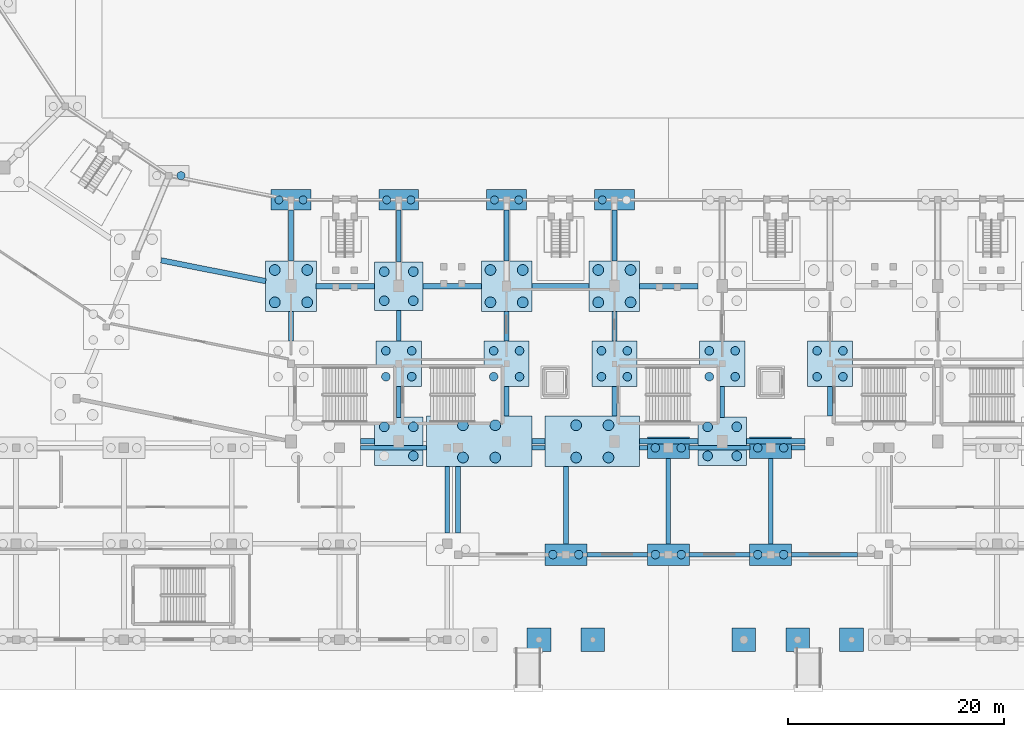
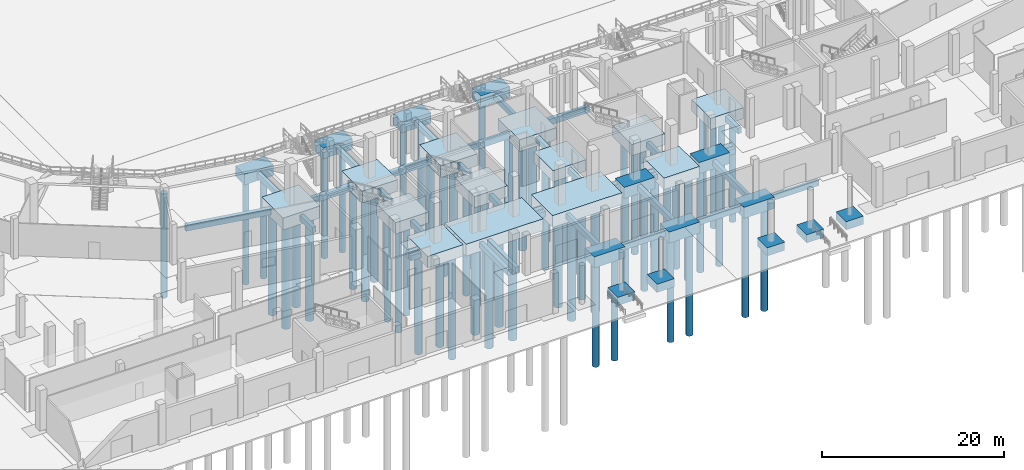
# One storey, part 3 of 68: 69 piles, 62 footings.
"""IFC4 building model written with IfcOpenShell, lengths in metres."""

from ifc_helpers import new_model, si_unit, direction, frame, origin, origin_2d, place, context, subcontext, project, spatial, rectangle, circle, extrude, material, material_profile, profile_set, type_object, element, save


model = new_model("IFC4")

# Units and contexts
model_context = context("Model", 3, precision=1e-05, world=origin(), true_north=direction((0.0, 1.0)))
body_context = subcontext(model_context, "Body", "Model", "MODEL_VIEW")
ifc_project = project(units=[si_unit("LENGTHUNIT", "METRE"), si_unit("AREAUNIT", "SQUARE_METRE"), si_unit("VOLUMEUNIT", "CUBIC_METRE"), si_unit("PLANEANGLEUNIT", "RADIAN"), si_unit("MASSUNIT", "GRAM", prefix="KILO")], contexts=[model_context])

# Site, building, storey
site_placement = place(None, origin())
site = spatial("IfcSite", under=ifc_project, at=site_placement, CompositionType="ELEMENT")
building_placement = place(site_placement, origin())
building = spatial("IfcBuilding", under=site, at=building_placement, Name="Candeia Ridge Stadium", CompositionType="ELEMENT")
storey_placement = place(building_placement, origin())
storey = spatial("IfcBuildingStorey", under=building, at=storey_placement, Name="L00", CompositionType="ELEMENT", Elevation=0.0)

# Piles
ifc_material = material(Name="Concrete C40/50", Category="concrete")
ifc_material_profile_1 = material_profile(ifc_material, circle(Radius=0.5, at=origin_2d()), Name="PILE-D1000", Category="concrete")
ifc_profile_set_1 = profile_set([ifc_material_profile_1], Name="Concrete C40/50")
pile_type_1 = type_object("IfcPileType", Name="Bored Concrete Pile D1000", PredefinedType="BORED", material=ifc_profile_set_1)
for number, where, z_axis, x_axis, name in (
    (1, (69.5, 31.89990234375, -1.39990234375), (0.0, 0.0, -1.0), (1.0, 0.0, 0.0), "Bored concrete foundation pile PILE-0247"),
    (2, (72.5, 31.89990234375, -1.39990234375), (0.0, 0.0, -1.0), (1.0, 0.0, 0.0), "Bored concrete foundation pile PILE-0248"),
    (3, (69.5, 34.89990234375, -1.39990234375), (0.0, 0.0, -1.0), (1.0, 0.0, 0.0), "Bored concrete foundation pile PILE-0249"),
    (4, (72.5, 34.89990234375, -1.39990234375), (0.0, 0.0, -1.0), (1.0, 0.0, 0.0), "Bored concrete foundation pile PILE-0250"),
    (5, (89.5, 31.89990234375, -1.39990234375), (0.0, 0.0, -1.0), (1.0, 0.0, 0.0), "Bored concrete foundation pile PILE-0275"),
    (6, (92.5, 31.89990234375, -1.39990234375), (0.0, 0.0, -1.0), (1.0, 0.0, 0.0), "Bored concrete foundation pile PILE-0276"),
    (7, (89.5, 34.89990234375, -1.39990234375), (0.0, 0.0, -1.0), (1.0, 0.0, 0.0), "Bored concrete foundation pile PILE-0277"),
    (8, (92.5, 34.89990234375, -1.39990234375), (0.0, 0.0, -1.0), (1.0, 0.0, 0.0), "Bored concrete foundation pile PILE-0278"),
    (9, (86.949951171875, 17.5, -1.39990234375), (0.0, 0.0, -1.0), (1.0, 0.0, 0.0), "Bored concrete foundation pile PILE-0283"),
    (10, (89.949951171875, 17.5, -1.39990234375), (0.0, 0.0, -1.0), (1.0, 0.0, 0.0), "Bored concrete foundation pile PILE-0284"),
    (11, (86.949951171875, 20.5, -1.39990234375), (0.0, 0.0, -1.0), (1.0, 0.0, 0.0), "Bored concrete foundation pile PILE-0285"),
    (12, (89.949951171875, 20.5, -1.39990234375), (0.0, 0.0, -1.0), (1.0, 0.0, 0.0), "Bored concrete foundation pile PILE-0286"),
    (13, (99.5, 31.89990234375, -1.39990234375), (0.0, 0.0, -1.0), (1.0, 0.0, 0.0), "Bored concrete foundation pile PILE-0289"),
    (14, (102.5, 31.89990234375, -1.39990234375), (0.0, 0.0, -1.0), (1.0, 0.0, 0.0), "Bored concrete foundation pile PILE-0290"),
    (15, (99.5, 34.89990234375, -1.39990234375), (0.0, 0.0, -1.0), (1.0, 0.0, 0.0), "Bored concrete foundation pile PILE-0291"),
    (16, (102.5, 34.89990234375, -1.39990234375), (0.0, 0.0, -1.0), (1.0, 0.0, 0.0), "Bored concrete foundation pile PILE-0292"),
    (17, (97.449951171875, 17.5, -1.39990234375), (0.0, 0.0, -1.0), (1.0, 0.0, 0.0), "Bored concrete foundation pile PILE-0297"),
    (18, (100.449951171875, 17.5, -1.39990234375), (0.0, 0.0, -1.0), (1.0, 0.0, 0.0), "Bored concrete foundation pile PILE-0298"),
    (19, (97.449951171875, 20.5, -1.39990234375), (0.0, 0.0, -1.0), (1.0, 0.0, 0.0), "Bored concrete foundation pile PILE-0299"),
    (20, (100.449951171875, 20.5, -1.39990234375), (0.0, 0.0, -1.0), (1.0, 0.0, 0.0), "Bored concrete foundation pile PILE-0300"),
):
    element("IfcPile", number, at=place(storey_placement, frame(where, z_axis=z_axis, x_axis=x_axis)), inside=storey, type_object=pile_type_1, Name=name, PredefinedType="BORED", context=body_context, shape_type="SweptSolid", body=[
        extrude(circle(Radius=0.5, at=origin_2d()), origin(), (0.0, 0.0, 1.0), 14.0),
    ])
ifc_material_profile_2 = material_profile(ifc_material, circle(Radius=0.375, at=origin_2d()), Name="PILE-D750", Category="concrete")
ifc_profile_set_2 = profile_set([ifc_material_profile_2], Name="Concrete C40/50")
pile_type_2 = type_object("IfcPileType", Name="Bored Concrete Pile D750", PredefinedType="BORED", material=ifc_profile_set_2)
for number, where, z_axis, x_axis, name in (
    (21, (60.797607421875, 43.6533203125, -1.39990234375), (0.0, 0.0, -1.0), (1.0, 0.0, 0.0), "Bored concrete foundation pile PILE-0232"),
    (22, (69.875, 41.39990234375, -1.39990234375), (0.0, 0.0, -1.0), (1.0, 0.0, 0.0), "Bored concrete foundation pile PILE-0245"),
    (23, (72.125, 41.39990234375, -1.39990234375), (0.0, 0.0, -1.0), (1.0, 0.0, 0.0), "Bored concrete foundation pile PILE-0246"),
    (24, (79.875, 41.39990234375, -1.39990234375), (0.0, 0.0, -1.0), (1.0, 0.0, 0.0), "Bored concrete foundation pile PILE-0259"),
    (25, (82.125, 41.39990234375, -1.39990234375), (0.0, 0.0, -1.0), (1.0, 0.0, 0.0), "Bored concrete foundation pile PILE-0260"),
    (26, (89.875, 41.39990234375, -1.39990234375), (0.0, 0.0, -1.0), (1.0, 0.0, 0.0), "Bored concrete foundation pile PILE-0273"),
    (27, (92.125, 41.39990234375, -1.39990234375), (0.0, 0.0, -1.0), (1.0, 0.0, 0.0), "Bored concrete foundation pile PILE-0274"),
    (28, (99.875, 41.39990234375, -1.39990234375), (0.0, 0.0, -1.0), (1.0, 0.0, 0.0), "Bored concrete foundation pile PILE-0287"),
):
    element("IfcPile", number, at=place(storey_placement, frame(where, z_axis=z_axis, x_axis=x_axis)), inside=storey, type_object=pile_type_2, Name=name, PredefinedType="BORED", context=body_context, shape_type="SweptSolid", body=[
        extrude(circle(Radius=0.375, at=origin_2d()), origin(), (0.0, 0.0, 1.0), 14.0),
    ])
ifc_material_profile_3 = material_profile(ifc_material, circle(Radius=0.39990234375, at=origin_2d()), Name="PILE-D800", Category="concrete")
ifc_profile_set_3 = profile_set([ifc_material_profile_3], Name="Concrete C40/50")
pile_type_3 = type_object("IfcPileType", Name="Bored Concrete Pile D800", PredefinedType="BORED", material=ifc_profile_set_3)
for number, where, z_axis, x_axis, name in (
    (29, (79.800048828125, 25.0, -1.39990234375), (0.0, 0.0, -1.0), (1.0, 0.0, 0.0), "Bored concrete foundation pile PILE-0265"),
    (30, (82.199951171875, 25.0, -1.39990234375), (0.0, 0.0, -1.0), (1.0, 0.0, 0.0), "Bored concrete foundation pile PILE-0266"),
    (31, (79.800048828125, 27.39990234375, -1.39990234375), (0.0, 0.0, -1.0), (1.0, 0.0, 0.0), "Bored concrete foundation pile PILE-0267"),
    (32, (82.199951171875, 27.39990234375, -1.39990234375), (0.0, 0.0, -1.0), (1.0, 0.0, 0.0), "Bored concrete foundation pile PILE-0268"),
    (33, (89.800048828125, 25.0, -1.39990234375), (0.0, 0.0, -1.0), (1.0, 0.0, 0.0), "Bored concrete foundation pile PILE-0279"),
    (34, (92.199951171875, 25.0, -1.39990234375), (0.0, 0.0, -1.0), (1.0, 0.0, 0.0), "Bored concrete foundation pile PILE-0280"),
    (35, (89.800048828125, 27.39990234375, -1.39990234375), (0.0, 0.0, -1.0), (1.0, 0.0, 0.0), "Bored concrete foundation pile PILE-0281"),
    (36, (92.199951171875, 27.39990234375, -1.39990234375), (0.0, 0.0, -1.0), (1.0, 0.0, 0.0), "Bored concrete foundation pile PILE-0282"),
    (37, (99.800048828125, 25.0, -1.39990234375), (0.0, 0.0, -1.0), (1.0, 0.0, 0.0), "Bored concrete foundation pile PILE-0293"),
    (38, (102.199951171875, 25.0, -1.39990234375), (0.0, 0.0, -1.0), (1.0, 0.0, 0.0), "Bored concrete foundation pile PILE-0294"),
    (39, (99.800048828125, 27.39990234375, -1.39990234375), (0.0, 0.0, -1.0), (1.0, 0.0, 0.0), "Bored concrete foundation pile PILE-0295"),
    (40, (102.199951171875, 27.39990234375, -1.39990234375), (0.0, 0.0, -1.0), (1.0, 0.0, 0.0), "Bored concrete foundation pile PILE-0296"),
    (41, (109.800048828125, 25.0, -1.39990234375), (0.0, 0.0, -1.0), (1.0, 0.0, 0.0), "Bored concrete foundation pile PILE-0307"),
    (42, (112.199951171875, 25.0, -1.39990234375), (0.0, 0.0, -1.0), (1.0, 0.0, 0.0), "Bored concrete foundation pile PILE-0308"),
    (43, (109.800048828125, 27.39990234375, -1.39990234375), (0.0, 0.0, -1.0), (1.0, 0.0, 0.0), "Bored concrete foundation pile PILE-0309"),
    (44, (112.199951171875, 27.39990234375, -1.39990234375), (0.0, 0.0, -1.0), (1.0, 0.0, 0.0), "Bored concrete foundation pile PILE-0310"),
    (45, (119.800048828125, 25.0, -1.39990234375), (0.0, 0.0, -1.0), (1.0, 0.0, 0.0), "Bored concrete foundation pile PILE-0321"),
    (46, (122.199951171875, 25.0, -1.39990234375), (0.0, 0.0, -1.0), (1.0, 0.0, 0.0), "Bored concrete foundation pile PILE-0322"),
    (47, (119.800048828125, 27.39990234375, -1.39990234375), (0.0, 0.0, -1.0), (1.0, 0.0, 0.0), "Bored concrete foundation pile PILE-0323"),
    (48, (122.199951171875, 27.39990234375, -1.39990234375), (0.0, 0.0, -1.0), (1.0, 0.0, 0.0), "Bored concrete foundation pile PILE-0324"),
    (49, (95.300048828125, 8.5, -1.39990234375), (0.0, 0.0, -1.0), (1.0, 0.0, 0.0), "Bored concrete foundation pile PILE-0799"),
    (50, (97.699951171875, 8.5, -1.39990234375), (0.0, 0.0, -1.0), (1.0, 0.0, 0.0), "Bored concrete foundation pile PILE-0800"),
    (51, (104.800048828125, 8.5, -1.39990234375), (0.0, 0.0, -1.0), (1.0, 0.0, 0.0), "Bored concrete foundation pile PILE-0801"),
    (52, (107.199951171875, 8.5, -1.39990234375), (0.0, 0.0, -1.0), (1.0, 0.0, 0.0), "Bored concrete foundation pile PILE-0802"),
    (53, (104.800048828125, 18.39990234375, -1.39990234375), (0.0, 0.0, -1.0), (1.0, 0.0, 0.0), "Bored concrete foundation pile PILE-0803"),
    (54, (107.199951171875, 18.39990234375, -1.39990234375), (0.0, 0.0, -1.0), (1.0, 0.0, 0.0), "Bored concrete foundation pile PILE-0804"),
    (55, (114.300048828125, 8.5, -1.39990234375), (0.0, 0.0, -1.0), (1.0, 0.0, 0.0), "Bored concrete foundation pile PILE-0805"),
    (56, (116.699951171875, 8.5, -1.39990234375), (0.0, 0.0, -1.0), (1.0, 0.0, 0.0), "Bored concrete foundation pile PILE-0806"),
    (57, (114.300048828125, 18.39990234375, -1.39990234375), (0.0, 0.0, -1.0), (1.0, 0.0, 0.0), "Bored concrete foundation pile PILE-0807"),
    (58, (116.699951171875, 18.39990234375, -1.39990234375), (0.0, 0.0, -1.0), (1.0, 0.0, 0.0), "Bored concrete foundation pile PILE-0808"),
):
    element("IfcPile", number, at=place(storey_placement, frame(where, z_axis=z_axis, x_axis=x_axis)), inside=storey, type_object=pile_type_3, Name=name, PredefinedType="BORED", context=body_context, shape_type="SweptSolid", body=[
        extrude(circle(Radius=0.39990234375, at=origin_2d()), origin(), (0.0, 0.0, 1.0), 14.0),
    ])
ifc_material_profile_4 = material_profile(ifc_material, circle(Radius=0.449951171875, at=origin_2d()), Name="PILE-D900", Category="concrete")
ifc_profile_set_4 = profile_set([ifc_material_profile_4], Name="Concrete C40/50")
pile_type_4 = type_object("IfcPileType", Name="Bored Concrete Pile D900", PredefinedType="BORED", material=ifc_profile_set_4)
for number, where, z_axis, x_axis, name in (
    (59, (79.64990234375, 32.050048828125, -1.39990234375), (0.0, 0.0, -1.0), (1.0, 0.0, 0.0), "Bored concrete foundation pile PILE-0261"),
    (60, (82.35009765625, 32.050048828125, -1.39990234375), (0.0, 0.0, -1.0), (1.0, 0.0, 0.0), "Bored concrete foundation pile PILE-0262"),
    (61, (79.64990234375, 34.75, -1.39990234375), (0.0, 0.0, -1.0), (1.0, 0.0, 0.0), "Bored concrete foundation pile PILE-0263"),
    (62, (82.35009765625, 34.75, -1.39990234375), (0.0, 0.0, -1.0), (1.0, 0.0, 0.0), "Bored concrete foundation pile PILE-0264"),
    (63, (82.35009765625, 17.64990234375, -1.39990234375), (0.0, 0.0, -1.0), (1.0, 0.0, 0.0), "Bored concrete foundation pile PILE-0270"),
    (64, (79.64990234375, 20.35009765625, -1.39990234375), (0.0, 0.0, -1.0), (1.0, 0.0, 0.0), "Bored concrete foundation pile PILE-0271"),
    (65, (82.35009765625, 20.35009765625, -1.39990234375), (0.0, 0.0, -1.0), (1.0, 0.0, 0.0), "Bored concrete foundation pile PILE-0272"),
    (66, (109.64990234375, 17.64990234375, -1.39990234375), (0.0, 0.0, -1.0), (1.0, 0.0, 0.0), "Bored concrete foundation pile PILE-0311"),
    (67, (112.35009765625, 17.64990234375, -1.39990234375), (0.0, 0.0, -1.0), (1.0, 0.0, 0.0), "Bored concrete foundation pile PILE-0312"),
    (68, (109.64990234375, 20.35009765625, -1.39990234375), (0.0, 0.0, -1.0), (1.0, 0.0, 0.0), "Bored concrete foundation pile PILE-0313"),
    (69, (112.35009765625, 20.35009765625, -1.39990234375), (0.0, 0.0, -1.0), (1.0, 0.0, 0.0), "Bored concrete foundation pile PILE-0314"),
):
    element("IfcPile", number, at=place(storey_placement, frame(where, z_axis=z_axis, x_axis=x_axis)), inside=storey, type_object=pile_type_4, Name=name, PredefinedType="BORED", context=body_context, shape_type="SweptSolid", body=[
        extrude(circle(Radius=0.449951171875, at=origin_2d()), origin(), (0.0, 0.0, 1.0), 14.0),
    ])

# Footings
footing_type_1 = type_object("IfcFootingType", Name="Ground Tie Beam 400x700", PredefinedType="FOOTING_BEAM", material=ifc_material)
footing_1_placement = place(storey_placement, frame((80.5, 18.39990234375, -1.0498046875), z_axis=(0.0, 0.0, 1.0), x_axis=(1.0, 0.0, 0.0)))
element("IfcFooting", 70, at=footing_1_placement, inside=storey, type_object=footing_type_1, Name="Ground tie beam GTB-0318", PredefinedType="FOOTING_BEAM", context=body_context, shape_type="SweptSolid", body=[
    extrude(rectangle(XDim=6.1201171875, YDim=0.39990234375, at=origin_2d()), origin(), (0.0, 0.0, 1.0), 0.699951171875),
])
footing_2_placement = place(storey_placement, frame((93.949951171875, 18.39990234375, -1.0498046875), z_axis=(0.0, 0.0, 1.0), x_axis=(1.0, 0.0, 0.0)))
element("IfcFooting", 71, at=footing_2_placement, inside=storey, type_object=footing_type_1, Name="Ground tie beam GTB-0355", PredefinedType="FOOTING_BEAM", context=body_context, shape_type="SweptSolid", body=[
    extrude(rectangle(XDim=1.219970703125, YDim=0.39990234375, at=origin_2d()), origin(), (0.0, 0.0, 1.0), 0.699951171875),
])
footing_3_placement = place(storey_placement, frame((101.25, 8.5, -1.0498046875), z_axis=(0.0, 0.0, 1.0), x_axis=(1.0, 0.0, 0.0)))
element("IfcFooting", 72, at=footing_3_placement, inside=storey, type_object=footing_type_1, Name="Ground tie beam GTB-0357", PredefinedType="FOOTING_BEAM", context=body_context, shape_type="SweptSolid", body=[
    extrude(rectangle(XDim=5.6201171875, YDim=0.39990234375, at=origin_2d()), origin(), (0.0, 0.0, 1.0), 0.699951171875),
])
footing_4_placement = place(storey_placement, frame((103.699951171875, 18.39990234375, -1.0498046875), z_axis=(0.0, 0.0, 1.0), x_axis=(1.0, 0.0, 0.0)))
element("IfcFooting", 73, at=footing_4_placement, inside=storey, type_object=footing_type_1, Name="Ground tie beam GTB-0358", PredefinedType="FOOTING_BEAM", context=body_context, shape_type="SweptSolid", body=[
    extrude(rectangle(XDim=0.719970703125, YDim=0.39990234375, at=origin_2d()), origin(), (0.0, 0.0, 1.0), 0.699951171875),
])
for number, where, z_axis, x_axis, name in (
    (74, (110.75, 8.5, -1.0498046875), (0.0, 0.0, 1.0), (1.0, 0.0, 0.0), "Ground tie beam GTB-0360"),
    (75, (110.75, 18.39990234375, -1.0498046875), (0.0, 0.0, 1.0), (1.0, 0.0, 0.0), "Ground tie beam GTB-0361"),
):
    element("IfcFooting", number, at=place(storey_placement, frame(where, z_axis=z_axis, x_axis=x_axis)), inside=storey, type_object=footing_type_1, Name=name, PredefinedType="FOOTING_BEAM", context=body_context, shape_type="SweptSolid", body=[
        extrude(rectangle(XDim=5.6201171875, YDim=0.39990234375, at=origin_2d()), origin(), (0.0, 0.0, 1.0), 0.699951171875),
    ])
footing_5_placement = place(storey_placement, frame((120.5, 8.5, -1.0498046875), z_axis=(0.0, 0.0, 1.0), x_axis=(1.0, 0.0, 0.0)))
element("IfcFooting", 76, at=footing_5_placement, inside=storey, type_object=footing_type_1, Name="Ground tie beam GTB-0363", PredefinedType="FOOTING_BEAM", context=body_context, shape_type="SweptSolid", body=[
    extrude(rectangle(XDim=6.1201171875, YDim=0.39990234375, at=origin_2d()), origin(), (0.0, 0.0, 1.0), 0.699951171875),
])
footing_6_placement = place(storey_placement, frame((118.050048828125, 18.39990234375, -1.0498046875), z_axis=(0.0, 0.0, 1.0), x_axis=(1.0, 0.0, 0.0)))
element("IfcFooting", 77, at=footing_6_placement, inside=storey, type_object=footing_type_1, Name="Ground tie beam GTB-0364", PredefinedType="FOOTING_BEAM", context=body_context, shape_type="SweptSolid", body=[
    extrude(rectangle(XDim=1.219970703125, YDim=0.39990234375, at=origin_2d()), origin(), (0.0, 0.0, 1.0), 0.699951171875),
])
footing_type_2 = type_object("IfcFootingType", Name="Ground Tie Beam 450x750", PredefinedType="FOOTING_BEAM", material=ifc_material)
footing_7_placement = place(storey_placement, frame((71.0, 38.10009765625, -1.074951171875), z_axis=(0.0, 0.0, 1.0), x_axis=(0.0, -1.0, 0.0)))
element("IfcFooting", 78, at=footing_7_placement, inside=storey, type_object=footing_type_2, Name="Ground tie beam GTB-0082", PredefinedType="FOOTING_BEAM", context=body_context, shape_type="SweptSolid", body=[
    extrude(rectangle(XDim=4.719970703125, YDim=0.449951171875, at=origin_2d()), origin(), (0.0, 0.0, 1.0), 0.75),
])
footing_8_placement = place(storey_placement, frame((71.0, 29.675048828125, -1.074951171875), z_axis=(0.0, 0.0, 1.0), x_axis=(0.0, -1.0, 0.0)))
element("IfcFooting", 79, at=footing_8_placement, inside=storey, type_object=footing_type_2, Name="Ground tie beam GTB-0083", PredefinedType="FOOTING_BEAM", context=body_context, shape_type="SweptSolid", body=[
    extrude(rectangle(XDim=2.77001953125, YDim=0.449951171875, at=origin_2d()), origin(), (0.0, 0.0, 1.0), 0.75),
])
footing_9_placement = place(storey_placement, frame((81.0, 38.050048828125, -1.074951171875), z_axis=(0.0, 0.0, 1.0), x_axis=(0.0, -1.0, 0.0)))
element("IfcFooting", 80, at=footing_9_placement, inside=storey, type_object=footing_type_2, Name="Ground tie beam GTB-0086", PredefinedType="FOOTING_BEAM", context=body_context, shape_type="SweptSolid", body=[
    extrude(rectangle(XDim=4.820068359375, YDim=0.449951171875, at=origin_2d()), origin(), (0.0, 0.0, 1.0), 0.75),
])
for number, where, z_axis, x_axis, name in (
    (81, (81.0, 29.72509765625, -1.074951171875), (0.0, 0.0, 1.0), (0.0, -1.0, 0.0), "Ground tie beam GTB-0087"),
    (82, (81.0, 22.675048828125, -1.074951171875), (0.0, 0.0, 1.0), (0.0, -1.0, 0.0), "Ground tie beam GTB-0088"),
):
    element("IfcFooting", number, at=place(storey_placement, frame(where, z_axis=z_axis, x_axis=x_axis)), inside=storey, type_object=footing_type_2, Name=name, PredefinedType="FOOTING_BEAM", context=body_context, shape_type="SweptSolid", body=[
        extrude(rectangle(XDim=2.8701171875, YDim=0.449951171875, at=origin_2d()), origin(), (0.0, 0.0, 1.0), 0.75),
    ])
footing_10_placement = place(storey_placement, frame((91.0, 38.10009765625, -1.074951171875), z_axis=(0.0, 0.0, 1.0), x_axis=(0.0, -1.0, 0.0)))
element("IfcFooting", 83, at=footing_10_placement, inside=storey, type_object=footing_type_2, Name="Ground tie beam GTB-0091", PredefinedType="FOOTING_BEAM", context=body_context, shape_type="SweptSolid", body=[
    extrude(rectangle(XDim=4.719970703125, YDim=0.449951171875, at=origin_2d()), origin(), (0.0, 0.0, 1.0), 0.75),
])
for number, where, z_axis, x_axis, name in (
    (84, (91.0, 29.675048828125, -1.074951171875), (0.0, 0.0, 1.0), (0.0, -1.0, 0.0), "Ground tie beam GTB-0092"),
    (85, (91.0, 22.72509765625, -1.074951171875), (0.0, 0.0, 1.0), (0.0, -1.0, 0.0), "Ground tie beam GTB-0093"),
):
    element("IfcFooting", number, at=place(storey_placement, frame(where, z_axis=z_axis, x_axis=x_axis)), inside=storey, type_object=footing_type_2, Name=name, PredefinedType="FOOTING_BEAM", context=body_context, shape_type="SweptSolid", body=[
        extrude(rectangle(XDim=2.77001953125, YDim=0.449951171875, at=origin_2d()), origin(), (0.0, 0.0, 1.0), 0.75),
    ])
footing_11_placement = place(storey_placement, frame((101.0, 38.10009765625, -1.074951171875), z_axis=(0.0, 0.0, 1.0), x_axis=(0.0, -1.0, 0.0)))
element("IfcFooting", 86, at=footing_11_placement, inside=storey, type_object=footing_type_2, Name="Ground tie beam GTB-0096", PredefinedType="FOOTING_BEAM", context=body_context, shape_type="SweptSolid", body=[
    extrude(rectangle(XDim=4.719970703125, YDim=0.449951171875, at=origin_2d()), origin(), (0.0, 0.0, 1.0), 0.75),
])
for number, where, z_axis, x_axis, name in (
    (87, (101.0, 29.675048828125, -1.074951171875), (0.0, 0.0, 1.0), (0.0, -1.0, 0.0), "Ground tie beam GTB-0097"),
    (88, (101.0, 22.72509765625, -1.074951171875), (0.0, 0.0, 1.0), (0.0, -1.0, 0.0), "Ground tie beam GTB-0098"),
):
    element("IfcFooting", number, at=place(storey_placement, frame(where, z_axis=z_axis, x_axis=x_axis)), inside=storey, type_object=footing_type_2, Name=name, PredefinedType="FOOTING_BEAM", context=body_context, shape_type="SweptSolid", body=[
        extrude(rectangle(XDim=2.77001953125, YDim=0.449951171875, at=origin_2d()), origin(), (0.0, 0.0, 1.0), 0.75),
    ])
footing_12_placement = place(storey_placement, frame((111.0, 22.675048828125, -1.074951171875), z_axis=(0.0, 0.0, 1.0), x_axis=(0.0, -1.0, 0.0)))
element("IfcFooting", 89, at=footing_12_placement, inside=storey, type_object=footing_type_2, Name="Ground tie beam GTB-0103", PredefinedType="FOOTING_BEAM", context=body_context, shape_type="SweptSolid", body=[
    extrude(rectangle(XDim=2.8701171875, YDim=0.449951171875, at=origin_2d()), origin(), (0.0, 0.0, 1.0), 0.75),
])
footing_13_placement = place(storey_placement, frame((121.0, 22.72509765625, -1.074951171875), z_axis=(0.0, 0.0, 1.0), x_axis=(0.0, -1.0, 0.0)))
element("IfcFooting", 90, at=footing_13_placement, inside=storey, type_object=footing_type_2, Name="Ground tie beam GTB-0107", PredefinedType="FOOTING_BEAM", context=body_context, shape_type="SweptSolid", body=[
    extrude(rectangle(XDim=2.77001953125, YDim=0.449951171875, at=origin_2d()), origin(), (0.0, 0.0, 1.0), 0.75),
])
for number, where, z_axis, x_axis, name in (
    (91, (85.5, 13.574951171875, -1.074951171875), (0.0, 0.0, 1.0), (0.0, 1.0, 0.0), "Ground tie beam GTB-0320"),
    (92, (86.5, 13.574951171875, -1.074951171875), (0.0, 0.0, 1.0), (0.0, 1.0, 0.0), "Ground tie beam GTB-0353"),
):
    element("IfcFooting", number, at=place(storey_placement, frame(where, z_axis=z_axis, x_axis=x_axis)), inside=storey, type_object=footing_type_2, Name=name, PredefinedType="FOOTING_BEAM", context=body_context, shape_type="SweptSolid", body=[
        extrude(rectangle(XDim=6.169921875, YDim=0.449951171875, at=origin_2d()), origin(), (0.0, 0.0, 1.0), 0.75),
    ])
footing_14_placement = place(storey_placement, frame((96.5, 13.074951171875, -1.074951171875), z_axis=(0.0, 0.0, 1.0), x_axis=(0.0, 1.0, 0.0)))
element("IfcFooting", 93, at=footing_14_placement, inside=storey, type_object=footing_type_2, Name="Ground tie beam GTB-0356", PredefinedType="FOOTING_BEAM", context=body_context, shape_type="SweptSolid", body=[
    extrude(rectangle(XDim=7.169921875, YDim=0.449951171875, at=origin_2d()), origin(), (0.0, 0.0, 1.0), 0.75),
])
for number, where, z_axis, x_axis, name in (
    (94, (106.0, 13.449951171875, -1.074951171875), (0.0, 0.0, 1.0), (0.0, 1.0, 0.0), "Ground tie beam GTB-0359"),
    (95, (115.5, 13.449951171875, -1.074951171875), (0.0, 0.0, 1.0), (0.0, 1.0, 0.0), "Ground tie beam GTB-0362"),
):
    element("IfcFooting", number, at=place(storey_placement, frame(where, z_axis=z_axis, x_axis=x_axis)), inside=storey, type_object=footing_type_2, Name=name, PredefinedType="FOOTING_BEAM", context=body_context, shape_type="SweptSolid", body=[
        extrude(rectangle(XDim=7.919921875, YDim=0.449951171875, at=origin_2d()), origin(), (0.0, 0.0, 1.0), 0.75),
    ])
footing_type_3 = type_object("IfcFootingType", Name="Ground Tie Beam 500x800", PredefinedType="FOOTING_BEAM", material=ifc_material)
footing_15_placement = place(storey_placement, frame((63.8056640625, 34.8310546875, -1.10009765625), z_axis=(0.0, 0.0, 1.0), x_axis=(0.980786067488, -0.195086365033, 0.0)))
element("IfcFooting", 96, at=footing_15_placement, inside=storey, type_object=footing_type_3, Name="Ground tie beam GTB-0076", PredefinedType="FOOTING_BEAM", context=body_context, shape_type="SweptSolid", body=[
    extrude(rectangle(XDim=9.898681640625, YDim=0.5, at=origin_2d()), origin(), (0.0, 0.0, 1.0), 0.800048828125),
])
footing_16_placement = place(storey_placement, frame((76.050048828125, 33.39990234375, -1.10009765625), z_axis=(0.0, 0.0, 1.0), x_axis=(1.0, 0.0, 0.0)))
element("IfcFooting", 97, at=footing_16_placement, inside=storey, type_object=footing_type_3, Name="Ground tie beam GTB-0080", PredefinedType="FOOTING_BEAM", context=body_context, shape_type="SweptSolid", body=[
    extrude(rectangle(XDim=5.419921875, YDim=0.5, at=origin_2d()), origin(), (0.0, 0.0, 1.0), 0.800048828125),
])
footing_17_placement = place(storey_placement, frame((78.10009765625, 19.0, -1.10009765625), z_axis=(0.0, 0.0, 1.0), x_axis=(1.0, 0.0, 0.0)))
element("IfcFooting", 98, at=footing_17_placement, inside=storey, type_object=footing_type_3, Name="Ground tie beam GTB-0081", PredefinedType="FOOTING_BEAM", context=body_context, shape_type="SweptSolid", body=[
    extrude(rectangle(XDim=1.320068359375, YDim=0.5, at=origin_2d()), origin(), (0.0, 0.0, 1.0), 0.800048828125),
])
footing_18_placement = place(storey_placement, frame((85.949951171875, 33.39990234375, -1.10009765625), z_axis=(0.0, 0.0, 1.0), x_axis=(1.0, 0.0, 0.0)))
element("IfcFooting", 99, at=footing_18_placement, inside=storey, type_object=footing_type_3, Name="Ground tie beam GTB-0085", PredefinedType="FOOTING_BEAM", context=body_context, shape_type="SweptSolid", body=[
    extrude(rectangle(XDim=5.419921875, YDim=0.5, at=origin_2d()), origin(), (0.0, 0.0, 1.0), 0.800048828125),
])
footing_19_placement = place(storey_placement, frame((96.0, 33.39990234375, -1.10009765625), z_axis=(0.0, 0.0, 1.0), x_axis=(1.0, 0.0, 0.0)))
element("IfcFooting", 100, at=footing_19_placement, inside=storey, type_object=footing_type_3, Name="Ground tie beam GTB-0089", PredefinedType="FOOTING_BEAM", context=body_context, shape_type="SweptSolid", body=[
    extrude(rectangle(XDim=5.320068359375, YDim=0.5, at=origin_2d()), origin(), (0.0, 0.0, 1.0), 0.800048828125),
])
footing_20_placement = place(storey_placement, frame((93.949951171875, 19.0, -1.10009765625), z_axis=(0.0, 0.0, 1.0), x_axis=(1.0, 0.0, 0.0)))
element("IfcFooting", 101, at=footing_20_placement, inside=storey, type_object=footing_type_3, Name="Ground tie beam GTB-0090", PredefinedType="FOOTING_BEAM", context=body_context, shape_type="SweptSolid", body=[
    extrude(rectangle(XDim=1.219970703125, YDim=0.5, at=origin_2d()), origin(), (0.0, 0.0, 1.0), 0.800048828125),
])
for number, where, z_axis, x_axis, name in (
    (102, (106.050048828125, 33.39990234375, -1.10009765625), (0.0, 0.0, 1.0), (1.0, 0.0, 0.0), "Ground tie beam GTB-0094"),
    (103, (106.050048828125, 19.0, -1.10009765625), (0.0, 0.0, 1.0), (1.0, 0.0, 0.0), "Ground tie beam GTB-0095"),
    (104, (115.949951171875, 19.0, -1.10009765625), (0.0, 0.0, 1.0), (1.0, 0.0, 0.0), "Ground tie beam GTB-0100"),
):
    element("IfcFooting", number, at=place(storey_placement, frame(where, z_axis=z_axis, x_axis=x_axis)), inside=storey, type_object=footing_type_3, Name=name, PredefinedType="FOOTING_BEAM", context=body_context, shape_type="SweptSolid", body=[
        extrude(rectangle(XDim=5.419921875, YDim=0.5, at=origin_2d()), origin(), (0.0, 0.0, 1.0), 0.800048828125),
    ])
footing_type_4 = type_object("IfcFootingType", Name="Pad Footing 2200x2200x1100", PredefinedType="PAD_FOOTING", material=ifc_material)
for number, where, z_axis, x_axis, name in (
    (105, (94.0, 0.60009765625, -1.10009765625), (0.0, 0.0, 1.0), (1.0, 0.0, 0.0), "Colonnade pad footing RP-02"),
    (106, (99.0, 0.60009765625, -1.10009765625), (0.0, 0.0, 1.0), (1.0, 0.0, 0.0), "Colonnade pad footing RP-03"),
    (107, (113.0, 0.60009765625, -1.10009765625), (0.0, 0.0, 1.0), (1.0, 0.0, 0.0), "Colonnade pad footing RP-04"),
    (108, (118.0, 0.60009765625, -1.10009765625), (0.0, 0.0, 1.0), (1.0, 0.0, 0.0), "Colonnade pad footing RP-05"),
    (109, (123.0, 0.60009765625, -1.10009765625), (0.0, 0.0, 1.0), (1.0, 0.0, 0.0), "Colonnade pad footing RP-06"),
):
    element("IfcFooting", number, at=place(storey_placement, frame(where, z_axis=z_axis, x_axis=x_axis)), inside=storey, type_object=footing_type_4, Name=name, PredefinedType="PAD_FOOTING", context=body_context, shape_type="SweptSolid", body=[
        extrude(rectangle(XDim=2.199951171875, YDim=2.199951171875, at=origin_2d()), origin(), (0.0, 0.0, 1.0), 1.10009765625),
    ])
footing_type_5 = type_object("IfcFootingType", Name="Pile Cap 3700x1900x1450", PredefinedType="PILE_CAP", material=ifc_material)
for number, where, z_axis, x_axis, name in (
    (110, (71.0, 41.39990234375, -1.4501953125), (0.0, 0.0, 1.0), (1.0, 0.0, 0.0), "Reinforced concrete pile cap CAP-071"),
    (111, (81.0, 41.39990234375, -1.4501953125), (0.0, 0.0, 1.0), (1.0, 0.0, 0.0), "Reinforced concrete pile cap CAP-075"),
    (112, (91.0, 41.39990234375, -1.4501953125), (0.0, 0.0, 1.0), (1.0, 0.0, 0.0), "Reinforced concrete pile cap CAP-079"),
    (113, (101.0, 41.39990234375, -1.4501953125), (0.0, 0.0, 1.0), (1.0, 0.0, 0.0), "Reinforced concrete pile cap CAP-083"),
):
    element("IfcFooting", number, at=place(storey_placement, frame(where, z_axis=z_axis, x_axis=x_axis)), inside=storey, type_object=footing_type_5, Name=name, PredefinedType="PILE_CAP", context=body_context, shape_type="SweptSolid", body=[
        extrude(rectangle(XDim=3.699951171875, YDim=1.89990234375, at=origin_2d()), origin(), (0.0, 0.0, 1.0), 1.449951171875),
    ])
footing_type_6 = type_object("IfcFootingType", Name="Pile Cap 3900x2000x1500", PredefinedType="PILE_CAP", material=ifc_material)
for number, where, z_axis, x_axis, name in (
    (114, (96.5, 8.5, -1.5), (0.0, 0.0, 1.0), (1.0, 0.0, 0.0), "Reinforced concrete pile cap CAP-255"),
    (115, (106.0, 8.5, -1.5), (0.0, 0.0, 1.0), (1.0, 0.0, 0.0), "Reinforced concrete pile cap CAP-256"),
    (116, (106.0, 18.39990234375, -1.5), (0.0, 0.0, 1.0), (1.0, 0.0, 0.0), "Reinforced concrete pile cap CAP-257"),
    (117, (115.5, 8.5, -1.5), (0.0, 0.0, 1.0), (1.0, 0.0, 0.0), "Reinforced concrete pile cap CAP-258"),
    (118, (115.5, 18.39990234375, -1.5), (0.0, 0.0, 1.0), (1.0, 0.0, 0.0), "Reinforced concrete pile cap CAP-259"),
):
    element("IfcFooting", number, at=place(storey_placement, frame(where, z_axis=z_axis, x_axis=x_axis)), inside=storey, type_object=footing_type_6, Name=name, PredefinedType="PILE_CAP", context=body_context, shape_type="SweptSolid", body=[
        extrude(rectangle(XDim=3.89990234375, YDim=2.0, at=origin_2d()), origin(), (0.0, 0.0, 1.0), 1.5),
    ])
footing_type_7 = type_object("IfcFootingType", Name="Pile Cap 4200x4200x1500", PredefinedType="PILE_CAP", material=ifc_material)
for number, where, z_axis, x_axis, name in (
    (119, (81.0, 26.199951171875, -1.5), (0.0, 0.0, 1.0), (1.0, 0.0, 0.0), "Reinforced concrete pile cap CAP-077"),
    (120, (91.0, 26.199951171875, -1.5), (0.0, 0.0, 1.0), (1.0, 0.0, 0.0), "Reinforced concrete pile cap CAP-081"),
    (121, (101.0, 26.199951171875, -1.5), (0.0, 0.0, 1.0), (1.0, 0.0, 0.0), "Reinforced concrete pile cap CAP-085"),
    (122, (111.0, 26.199951171875, -1.5), (0.0, 0.0, 1.0), (1.0, 0.0, 0.0), "Reinforced concrete pile cap CAP-089"),
    (123, (121.0, 26.199951171875, -1.5), (0.0, 0.0, 1.0), (1.0, 0.0, 0.0), "Reinforced concrete pile cap CAP-093"),
):
    element("IfcFooting", number, at=place(storey_placement, frame(where, z_axis=z_axis, x_axis=x_axis)), inside=storey, type_object=footing_type_7, Name=name, PredefinedType="PILE_CAP", context=body_context, shape_type="SweptSolid", body=[
        extrude(rectangle(XDim=4.199951171875, YDim=4.199951171875, at=origin_2d()), origin(), (0.0, 0.0, 1.0), 1.5),
    ])
footing_type_8 = type_object("IfcFootingType", Name="Pile Cap 4500x4500x1550", PredefinedType="PILE_CAP", material=ifc_material)
for number, where, z_axis, x_axis, name in (
    (124, (81.0, 33.39990234375, -1.5498046875), (0.0, 0.0, 1.0), (1.0, 0.0, 0.0), "Reinforced concrete pile cap CAP-076"),
    (125, (81.0, 19.0, -1.5498046875), (0.0, 0.0, 1.0), (1.0, 0.0, 0.0), "Reinforced concrete pile cap CAP-078"),
    (126, (111.0, 19.0, -1.5498046875), (0.0, 0.0, 1.0), (1.0, 0.0, 0.0), "Reinforced concrete pile cap CAP-090"),
):
    element("IfcFooting", number, at=place(storey_placement, frame(where, z_axis=z_axis, x_axis=x_axis)), inside=storey, type_object=footing_type_8, Name=name, PredefinedType="PILE_CAP", context=body_context, shape_type="SweptSolid", body=[
        extrude(rectangle(XDim=4.5, YDim=4.5, at=origin_2d()), origin(), (0.0, 0.0, 1.0), 1.550048828125),
    ])
footing_type_9 = type_object("IfcFootingType", Name="Pile Cap 4700x4700x1600", PredefinedType="PILE_CAP", material=ifc_material)
for number, where, z_axis, x_axis, name in (
    (127, (71.0, 33.39990234375, -1.60009765625), (0.0, 0.0, 1.0), (1.0, 0.0, 0.0), "Reinforced concrete pile cap CAP-072"),
    (128, (91.0, 33.39990234375, -1.60009765625), (0.0, 0.0, 1.0), (1.0, 0.0, 0.0), "Reinforced concrete pile cap CAP-080"),
    (129, (101.0, 33.39990234375, -1.60009765625), (0.0, 0.0, 1.0), (1.0, 0.0, 0.0), "Reinforced concrete pile cap CAP-084"),
):
    element("IfcFooting", number, at=place(storey_placement, frame(where, z_axis=z_axis, x_axis=x_axis)), inside=storey, type_object=footing_type_9, Name=name, PredefinedType="PILE_CAP", context=body_context, shape_type="SweptSolid", body=[
        extrude(rectangle(XDim=4.699951171875, YDim=4.699951171875, at=origin_2d()), origin(), (0.0, 0.0, 1.0), 1.60009765625),
    ])
footing_type_10 = type_object("IfcFootingType", Name="Pile Cap 6200x4400x1600", PredefinedType="PILE_CAP", material=ifc_material)
footing_21_placement = place(storey_placement, frame((88.449951171875, 19.0, -1.60009765625), z_axis=(0.0, 0.0, 1.0), x_axis=(1.0, 0.0, 0.0)))
element("IfcFooting", 130, at=footing_21_placement, inside=storey, type_object=footing_type_10, Name="Reinforced concrete pile cap CAP-082", PredefinedType="PILE_CAP", context=body_context, shape_type="SweptSolid", body=[
    extrude(rectangle(XDim=9.800048828125, YDim=4.699951171875, at=origin_2d()), origin(), (0.0, 0.0, 1.0), 1.60009765625),
])
footing_22_placement = place(storey_placement, frame((98.949951171875, 19.0, -1.60009765625), z_axis=(0.0, 0.0, 1.0), x_axis=(1.0, 0.0, 0.0)))
element("IfcFooting", 131, at=footing_22_placement, inside=storey, type_object=footing_type_10, Name="Reinforced concrete pile cap CAP-086", PredefinedType="PILE_CAP", context=body_context, shape_type="SweptSolid", body=[
    extrude(rectangle(XDim=8.800048828125, YDim=4.699951171875, at=origin_2d()), origin(), (0.0, 0.0, 1.0), 1.60009765625),
])

save(model, "model.ifc")
